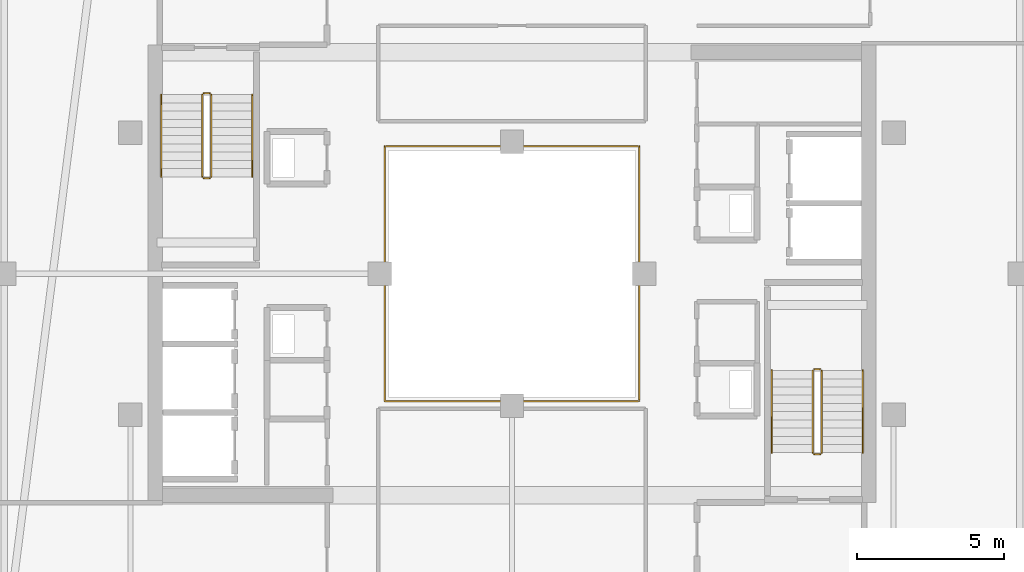
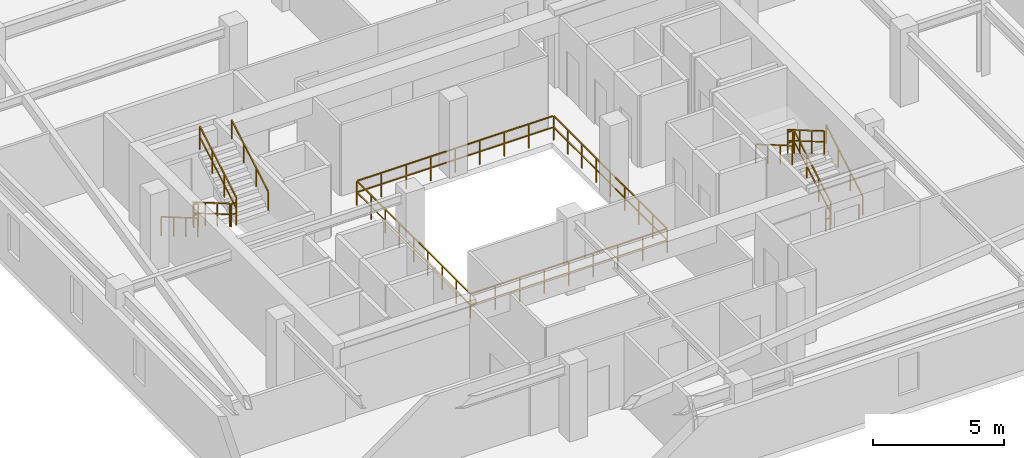
# One storey, part 33 of 34: 13 railings.
"""IFC4 building model written with IfcOpenShell, lengths in metres."""

from ifc_helpers import new_model, si_unit, direction, frame, origin, origin_2d, place, context, subcontext, project, spatial, rectangle, extrude, material, type_object, element, save


model = new_model("IFC4")

# Units and contexts
model_context = context("Model", 3, precision=1e-05, world=origin(), true_north=direction((0.0, 1.0)))
body_context = subcontext(model_context, "Body", "Model", "MODEL_VIEW")
ifc_project = project(units=[si_unit("LENGTHUNIT", "METRE"), si_unit("AREAUNIT", "SQUARE_METRE"), si_unit("VOLUMEUNIT", "CUBIC_METRE"), si_unit("PLANEANGLEUNIT", "RADIAN"), si_unit("MASSUNIT", "GRAM", prefix="KILO")], contexts=[model_context])

# Site, building, storey
site_placement = place(None, origin())
site = spatial("IfcSite", under=ifc_project, at=site_placement, CompositionType="ELEMENT")
building_placement = place(site_placement, origin())
building = spatial("IfcBuilding", under=site, at=building_placement, Name="Thornwick Lancets Civic Towers", CompositionType="ELEMENT")
storey_placement = place(building_placement, frame((0.0, 0.0, 258.300048828125)))
storey = spatial("IfcBuildingStorey", under=building, at=storey_placement, Name="L69", CompositionType="ELEMENT", Elevation=258.300048828125)

# Railings
ifc_material_1 = material(Name="Laminated glass and bronze steel S355", Category="steel")
railing_type_1 = type_object("IfcRailingType", Name="RAIL_ATRIUM_GUARD", PredefinedType="BALUSTRADE", material=ifc_material_1)
railing_1_placement = place(storey_placement, frame((84.159912109375, 22.659912109375, 0.0)))
element("IfcRailing", 1, at=railing_1_placement, inside=storey, type_object=railing_type_1, Name="L69 Tower B Central Atrium Guard Balustrade", PredefinedType="BALUSTRADE", context=body_context, shape_type="SweptSolid", body=[
    extrude(rectangle(XDim=0.048095703125, YDim=0.048095703125, at=origin_2d()), frame((0.0, 0.0, 1.1259765625), z_axis=(1.0, 0.0, 0.0), x_axis=(0.0, 1.0, 0.0)), (0.0, 0.0, 1.0), 8.64892578125),
    extrude(rectangle(XDim=0.0419921875, YDim=0.0419921875, at=origin_2d()), frame((0.03759765625, 0.0, 0.597900390625), z_axis=(1.0, 0.0, 0.0), x_axis=(0.0, 1.0, 0.0)), (0.0, 0.0, 1.0), 1.010009765625),
    extrude(rectangle(XDim=0.0419921875, YDim=0.0419921875, at=origin_2d()), frame((1.12255859375, 0.0, 0.597900390625), z_axis=(1.0, 0.0, 0.0), x_axis=(0.0, 1.0, 0.0)), (0.0, 0.0, 1.0), 1.010009765625),
    extrude(rectangle(XDim=0.0419921875, YDim=0.0419921875, at=origin_2d()), frame((2.20751953125, 0.0, 0.597900390625), z_axis=(1.0, 0.0, 0.0), x_axis=(0.0, 1.0, 0.0)), (0.0, 0.0, 1.0), 1.010009765625),
    extrude(rectangle(XDim=0.0419921875, YDim=0.0419921875, at=origin_2d()), frame((3.29248046875, 0.0, 0.597900390625), z_axis=(1.0, 0.0, 0.0), x_axis=(0.0, 1.0, 0.0)), (0.0, 0.0, 1.0), 1.010009765625),
    extrude(rectangle(XDim=0.0419921875, YDim=0.0419921875, at=origin_2d()), frame((4.377685546875, 0.0, 0.597900390625), z_axis=(1.0, 0.0, 0.0), x_axis=(0.0, 1.0, 0.0)), (0.0, 0.0, 1.0), 1.010009765625),
    extrude(rectangle(XDim=0.0419921875, YDim=0.0419921875, at=origin_2d()), frame((5.462646484375, 0.0, 0.597900390625), z_axis=(1.0, 0.0, 0.0), x_axis=(0.0, 1.0, 0.0)), (0.0, 0.0, 1.0), 1.010009765625),
    extrude(rectangle(XDim=0.0419921875, YDim=0.0419921875, at=origin_2d()), frame((6.547607421875, 0.0, 0.597900390625), z_axis=(1.0, 0.0, 0.0), x_axis=(0.0, 1.0, 0.0)), (0.0, 0.0, 1.0), 1.010009765625),
    extrude(rectangle(XDim=0.0419921875, YDim=0.0419921875, at=origin_2d()), frame((7.632568359375, 0.0, 0.597900390625), z_axis=(1.0, 0.0, 0.0), x_axis=(0.0, 1.0, 0.0)), (0.0, 0.0, 1.0), 1.010009765625),
    extrude(rectangle(XDim=0.048095703125, YDim=0.048095703125, at=origin_2d()), frame((8.68017578125, 0.03125, 1.1259765625), z_axis=(0.0, 1.0, 0.0), x_axis=(-1.0, 0.0, 0.0)), (0.0, 0.0, 1.0), 8.61767578125),
    extrude(rectangle(XDim=0.0419921875, YDim=0.0419921875, at=origin_2d()), frame((8.68017578125, 0.03759765625, 0.597900390625), z_axis=(0.0, 1.0, 0.0), x_axis=(-1.0, 0.0, 0.0)), (0.0, 0.0, 1.0), 1.010009765625),
    extrude(rectangle(XDim=0.0419921875, YDim=0.0419921875, at=origin_2d()), frame((8.68017578125, 1.12255859375, 0.597900390625), z_axis=(0.0, 1.0, 0.0), x_axis=(-1.0, 0.0, 0.0)), (0.0, 0.0, 1.0), 1.010009765625),
    extrude(rectangle(XDim=0.0419921875, YDim=0.0419921875, at=origin_2d()), frame((8.68017578125, 2.20751953125, 0.597900390625), z_axis=(0.0, 1.0, 0.0), x_axis=(-1.0, 0.0, 0.0)), (0.0, 0.0, 1.0), 1.010009765625),
    extrude(rectangle(XDim=0.0419921875, YDim=0.0419921875, at=origin_2d()), frame((8.68017578125, 3.29248046875, 0.597900390625), z_axis=(0.0, 1.0, 0.0), x_axis=(-1.0, 0.0, 0.0)), (0.0, 0.0, 1.0), 1.010009765625),
    extrude(rectangle(XDim=0.0419921875, YDim=0.0419921875, at=origin_2d()), frame((8.68017578125, 4.377685546875, 0.597900390625), z_axis=(0.0, 1.0, 0.0), x_axis=(-1.0, 0.0, 0.0)), (0.0, 0.0, 1.0), 1.010009765625),
    extrude(rectangle(XDim=0.0419921875, YDim=0.0419921875, at=origin_2d()), frame((8.68017578125, 5.462646484375, 0.597900390625), z_axis=(0.0, 1.0, 0.0), x_axis=(-1.0, 0.0, 0.0)), (0.0, 0.0, 1.0), 1.010009765625),
    extrude(rectangle(XDim=0.0419921875, YDim=0.0419921875, at=origin_2d()), frame((8.68017578125, 6.547607421875, 0.597900390625), z_axis=(0.0, 1.0, 0.0), x_axis=(-1.0, 0.0, 0.0)), (0.0, 0.0, 1.0), 1.010009765625),
    extrude(rectangle(XDim=0.0419921875, YDim=0.0419921875, at=origin_2d()), frame((8.68017578125, 7.632568359375, 0.597900390625), z_axis=(0.0, 1.0, 0.0), x_axis=(-1.0, 0.0, 0.0)), (0.0, 0.0, 1.0), 1.010009765625),
    extrude(rectangle(XDim=0.048095703125, YDim=0.048095703125, at=origin_2d()), frame((8.64892578125, 8.68017578125, 1.1259765625), z_axis=(-1.0, 0.0, 0.0), x_axis=(0.0, -1.0, 0.0)), (0.0, 0.0, 1.0), 8.61767578125),
    extrude(rectangle(XDim=0.0419921875, YDim=0.0419921875, at=origin_2d()), frame((8.642578125, 8.68017578125, 0.597900390625), z_axis=(-1.0, 0.0, 0.0), x_axis=(0.0, -1.0, 0.0)), (0.0, 0.0, 1.0), 1.010009765625),
    extrude(rectangle(XDim=0.0419921875, YDim=0.0419921875, at=origin_2d()), frame((7.5576171875, 8.68017578125, 0.597900390625), z_axis=(-1.0, 0.0, 0.0), x_axis=(0.0, -1.0, 0.0)), (0.0, 0.0, 1.0), 1.010009765625),
    extrude(rectangle(XDim=0.0419921875, YDim=0.0419921875, at=origin_2d()), frame((6.47265625, 8.68017578125, 0.597900390625), z_axis=(-1.0, 0.0, 0.0), x_axis=(0.0, -1.0, 0.0)), (0.0, 0.0, 1.0), 1.010009765625),
    extrude(rectangle(XDim=0.0419921875, YDim=0.0419921875, at=origin_2d()), frame((5.3876953125, 8.68017578125, 0.597900390625), z_axis=(-1.0, 0.0, 0.0), x_axis=(0.0, -1.0, 0.0)), (0.0, 0.0, 1.0), 1.010009765625),
    extrude(rectangle(XDim=0.0419921875, YDim=0.0419921875, at=origin_2d()), frame((4.302490234375, 8.68017578125, 0.597900390625), z_axis=(-1.0, 0.0, 0.0), x_axis=(0.0, -1.0, 0.0)), (0.0, 0.0, 1.0), 1.010009765625),
    extrude(rectangle(XDim=0.0419921875, YDim=0.0419921875, at=origin_2d()), frame((3.217529296875, 8.68017578125, 0.597900390625), z_axis=(-1.0, 0.0, 0.0), x_axis=(0.0, -1.0, 0.0)), (0.0, 0.0, 1.0), 1.010009765625),
    extrude(rectangle(XDim=0.0419921875, YDim=0.0419921875, at=origin_2d()), frame((2.132568359375, 8.68017578125, 0.597900390625), z_axis=(-1.0, 0.0, 0.0), x_axis=(0.0, -1.0, 0.0)), (0.0, 0.0, 1.0), 1.010009765625),
    extrude(rectangle(XDim=0.0419921875, YDim=0.0419921875, at=origin_2d()), frame((1.047607421875, 8.68017578125, 0.597900390625), z_axis=(-1.0, 0.0, 0.0), x_axis=(0.0, -1.0, 0.0)), (0.0, 0.0, 1.0), 1.010009765625),
    extrude(rectangle(XDim=0.048095703125, YDim=0.048095703125, at=origin_2d()), frame((0.0, 8.64892578125, 1.1259765625), z_axis=(0.0, -1.0, 0.0), x_axis=(1.0, 0.0, 0.0)), (0.0, 0.0, 1.0), 8.64892578125),
    extrude(rectangle(XDim=0.0419921875, YDim=0.0419921875, at=origin_2d()), frame((0.0, 8.642578125, 0.597900390625), z_axis=(0.0, -1.0, 0.0), x_axis=(1.0, 0.0, 0.0)), (0.0, 0.0, 1.0), 1.010009765625),
    extrude(rectangle(XDim=0.0419921875, YDim=0.0419921875, at=origin_2d()), frame((0.0, 7.5576171875, 0.597900390625), z_axis=(0.0, -1.0, 0.0), x_axis=(1.0, 0.0, 0.0)), (0.0, 0.0, 1.0), 1.010009765625),
    extrude(rectangle(XDim=0.0419921875, YDim=0.0419921875, at=origin_2d()), frame((0.0, 6.47265625, 0.597900390625), z_axis=(0.0, -1.0, 0.0), x_axis=(1.0, 0.0, 0.0)), (0.0, 0.0, 1.0), 1.010009765625),
    extrude(rectangle(XDim=0.0419921875, YDim=0.0419921875, at=origin_2d()), frame((0.0, 5.3876953125, 0.597900390625), z_axis=(0.0, -1.0, 0.0), x_axis=(1.0, 0.0, 0.0)), (0.0, 0.0, 1.0), 1.010009765625),
    extrude(rectangle(XDim=0.0419921875, YDim=0.0419921875, at=origin_2d()), frame((0.0, 4.302490234375, 0.597900390625), z_axis=(0.0, -1.0, 0.0), x_axis=(1.0, 0.0, 0.0)), (0.0, 0.0, 1.0), 1.010009765625),
    extrude(rectangle(XDim=0.0419921875, YDim=0.0419921875, at=origin_2d()), frame((0.0, 3.217529296875, 0.597900390625), z_axis=(0.0, -1.0, 0.0), x_axis=(1.0, 0.0, 0.0)), (0.0, 0.0, 1.0), 1.010009765625),
    extrude(rectangle(XDim=0.0419921875, YDim=0.0419921875, at=origin_2d()), frame((0.0, 2.132568359375, 0.597900390625), z_axis=(0.0, -1.0, 0.0), x_axis=(1.0, 0.0, 0.0)), (0.0, 0.0, 1.0), 1.010009765625),
    extrude(rectangle(XDim=0.0419921875, YDim=0.0419921875, at=origin_2d()), frame((0.0, 1.047607421875, 0.597900390625), z_axis=(0.0, -1.0, 0.0), x_axis=(1.0, 0.0, 0.0)), (0.0, 0.0, 1.0), 1.010009765625),
    extrude(rectangle(XDim=0.0419921875, YDim=0.0419921875, at=origin_2d()), origin(), (0.0, 0.0, 1.0), 1.095703125),
    extrude(rectangle(XDim=0.0419921875, YDim=0.0419921875, at=origin_2d()), frame((1.0849609375, 0.0, 0.0)), (0.0, 0.0, 1.0), 1.095703125),
    extrude(rectangle(XDim=0.0419921875, YDim=0.0419921875, at=origin_2d()), frame((2.169921875, 0.0, 0.0)), (0.0, 0.0, 1.0), 1.095703125),
    extrude(rectangle(XDim=0.0419921875, YDim=0.0419921875, at=origin_2d()), frame((3.255126953125, 0.0, 0.0)), (0.0, 0.0, 1.0), 1.095703125),
    extrude(rectangle(XDim=0.0419921875, YDim=0.0419921875, at=origin_2d()), frame((4.340087890625, 0.0, 0.0)), (0.0, 0.0, 1.0), 1.095703125),
    extrude(rectangle(XDim=0.0419921875, YDim=0.0419921875, at=origin_2d()), frame((5.425048828125, 0.0, 0.0)), (0.0, 0.0, 1.0), 1.095703125),
    extrude(rectangle(XDim=0.0419921875, YDim=0.0419921875, at=origin_2d()), frame((6.51025390625, 0.0, 0.0)), (0.0, 0.0, 1.0), 1.095703125),
    extrude(rectangle(XDim=0.0419921875, YDim=0.0419921875, at=origin_2d()), frame((7.59521484375, 0.0, 0.0)), (0.0, 0.0, 1.0), 1.095703125),
    extrude(rectangle(XDim=0.0419921875, YDim=0.0419921875, at=origin_2d()), frame((8.68017578125, 0.0, 0.0)), (0.0, 0.0, 1.0), 1.095703125),
    extrude(rectangle(XDim=0.0419921875, YDim=0.0419921875, at=origin_2d()), frame((8.68017578125, 1.0849609375, 0.0)), (0.0, 0.0, 1.0), 1.095703125),
    extrude(rectangle(XDim=0.0419921875, YDim=0.0419921875, at=origin_2d()), frame((8.68017578125, 2.169921875, 0.0)), (0.0, 0.0, 1.0), 1.095703125),
    extrude(rectangle(XDim=0.0419921875, YDim=0.0419921875, at=origin_2d()), frame((8.68017578125, 3.255126953125, 0.0)), (0.0, 0.0, 1.0), 1.095703125),
    extrude(rectangle(XDim=0.0419921875, YDim=0.0419921875, at=origin_2d()), frame((8.68017578125, 4.340087890625, 0.0)), (0.0, 0.0, 1.0), 1.095703125),
    extrude(rectangle(XDim=0.0419921875, YDim=0.0419921875, at=origin_2d()), frame((8.68017578125, 5.425048828125, 0.0)), (0.0, 0.0, 1.0), 1.095703125),
    extrude(rectangle(XDim=0.0419921875, YDim=0.0419921875, at=origin_2d()), frame((8.68017578125, 6.51025390625, 0.0)), (0.0, 0.0, 1.0), 1.095703125),
    extrude(rectangle(XDim=0.0419921875, YDim=0.0419921875, at=origin_2d()), frame((8.68017578125, 7.59521484375, 0.0)), (0.0, 0.0, 1.0), 1.095703125),
    extrude(rectangle(XDim=0.0419921875, YDim=0.0419921875, at=origin_2d()), frame((8.68017578125, 8.68017578125, 0.0)), (0.0, 0.0, 1.0), 1.095703125),
    extrude(rectangle(XDim=0.0419921875, YDim=0.0419921875, at=origin_2d()), frame((7.59521484375, 8.68017578125, 0.0)), (0.0, 0.0, 1.0), 1.095703125),
    extrude(rectangle(XDim=0.0419921875, YDim=0.0419921875, at=origin_2d()), frame((6.51025390625, 8.68017578125, 0.0)), (0.0, 0.0, 1.0), 1.095703125),
    extrude(rectangle(XDim=0.0419921875, YDim=0.0419921875, at=origin_2d()), frame((5.425048828125, 8.68017578125, 0.0)), (0.0, 0.0, 1.0), 1.095703125),
    extrude(rectangle(XDim=0.0419921875, YDim=0.0419921875, at=origin_2d()), frame((4.340087890625, 8.68017578125, 0.0)), (0.0, 0.0, 1.0), 1.095703125),
    extrude(rectangle(XDim=0.0419921875, YDim=0.0419921875, at=origin_2d()), frame((3.255126953125, 8.68017578125, 0.0)), (0.0, 0.0, 1.0), 1.095703125),
    extrude(rectangle(XDim=0.0419921875, YDim=0.0419921875, at=origin_2d()), frame((2.169921875, 8.68017578125, 0.0)), (0.0, 0.0, 1.0), 1.095703125),
    extrude(rectangle(XDim=0.0419921875, YDim=0.0419921875, at=origin_2d()), frame((1.0849609375, 8.68017578125, 0.0)), (0.0, 0.0, 1.0), 1.095703125),
    extrude(rectangle(XDim=0.0419921875, YDim=0.0419921875, at=origin_2d()), frame((0.0, 8.68017578125, 0.0)), (0.0, 0.0, 1.0), 1.095703125),
    extrude(rectangle(XDim=0.0419921875, YDim=0.0419921875, at=origin_2d()), frame((0.0, 7.59521484375, 0.0)), (0.0, 0.0, 1.0), 1.095703125),
    extrude(rectangle(XDim=0.0419921875, YDim=0.0419921875, at=origin_2d()), frame((0.0, 6.51025390625, 0.0)), (0.0, 0.0, 1.0), 1.095703125),
    extrude(rectangle(XDim=0.0419921875, YDim=0.0419921875, at=origin_2d()), frame((0.0, 5.425048828125, 0.0)), (0.0, 0.0, 1.0), 1.095703125),
    extrude(rectangle(XDim=0.0419921875, YDim=0.0419921875, at=origin_2d()), frame((0.0, 4.340087890625, 0.0)), (0.0, 0.0, 1.0), 1.095703125),
    extrude(rectangle(XDim=0.0419921875, YDim=0.0419921875, at=origin_2d()), frame((0.0, 3.255126953125, 0.0)), (0.0, 0.0, 1.0), 1.095703125),
    extrude(rectangle(XDim=0.0419921875, YDim=0.0419921875, at=origin_2d()), frame((0.0, 2.169921875, 0.0)), (0.0, 0.0, 1.0), 1.095703125),
    extrude(rectangle(XDim=0.0419921875, YDim=0.0419921875, at=origin_2d()), frame((0.0, 1.0849609375, 0.0)), (0.0, 0.0, 1.0), 1.095703125),
])
ifc_material_2 = material(Name="Brushed stainless steel S355", Category="steel")
railing_type_2 = type_object("IfcRailingType", Name="RAIL_HANDRAIL", PredefinedType="HANDRAIL", material=ifc_material_2)
railing_2_placement = place(storey_placement, frame((100.449951171875, 20.89990234375, 0.16357421875)))
element("IfcRailing", 2, at=railing_2_placement, inside=storey, type_object=railing_type_2, Name="L69 ST-B1 stair handrail 1", PredefinedType="HANDRAIL", context=body_context, shape_type="SweptSolid", body=[
    extrude(rectangle(XDim=0.048095703125, YDim=0.048095703125, at=origin_2d()), frame((0.0, 0.0, 0.8857421875), z_axis=(0.0, 0.863360870873, 0.504586966384), x_axis=(-1.0, 0.0, 0.0)), (0.0, 0.0, 1.0), 3.2431640625),
    extrude(rectangle(XDim=0.0419921875, YDim=0.0419921875, at=origin_2d()), origin(), (0.0, 0.0, 1.0), 0.855712890625),
    extrude(rectangle(XDim=0.0419921875, YDim=0.0419921875, at=origin_2d()), frame((0.0, 0.933349609375, 0.54541015625)), (0.0, 0.0, 1.0), 0.855712890625),
    extrude(rectangle(XDim=0.0419921875, YDim=0.0419921875, at=origin_2d()), frame((0.0, 1.86669921875, 1.091064453125)), (0.0, 0.0, 1.0), 0.855712890625),
    extrude(rectangle(XDim=0.0419921875, YDim=0.0419921875, at=origin_2d()), frame((0.0, 2.800048828125, 1.636474609375)), (0.0, 0.0, 1.0), 0.855712890625),
])
railing_3_placement = place(storey_placement, frame((97.35009765625, 23.699951171875, 1.963623046875)))
element("IfcRailing", 3, at=railing_3_placement, inside=storey, type_object=railing_type_2, Name="L69 ST-B1 stair handrail 2", PredefinedType="HANDRAIL", context=body_context, shape_type="SweptSolid", body=[
    extrude(rectangle(XDim=0.048095703125, YDim=0.048095703125, at=origin_2d()), frame((0.0, 0.0, 0.8857421875), z_axis=(0.0, -0.863393664356, 0.504530851732), x_axis=(1.0, 0.0, 0.0)), (0.0, 0.0, 1.0), 3.2431640625),
    extrude(rectangle(XDim=0.0419921875, YDim=0.0419921875, at=origin_2d()), origin(), (0.0, 0.0, 1.0), 0.855712890625),
    extrude(rectangle(XDim=0.0419921875, YDim=0.0419921875, at=origin_2d()), frame((0.0, -0.933349609375, 0.54541015625)), (0.0, 0.0, 1.0), 0.855712890625),
    extrude(rectangle(XDim=0.0419921875, YDim=0.0419921875, at=origin_2d()), frame((0.0, -1.86669921875, 1.0908203125)), (0.0, 0.0, 1.0), 0.855712890625),
    extrude(rectangle(XDim=0.0419921875, YDim=0.0419921875, at=origin_2d()), frame((0.0, -2.800048828125, 1.63623046875)), (0.0, 0.0, 1.0), 0.855712890625),
])
railing_4_placement = place(storey_placement, frame((76.550048828125, 33.10009765625, 0.16357421875)))
element("IfcRailing", 4, at=railing_4_placement, inside=storey, type_object=railing_type_2, Name="L69 ST-B2 stair handrail 1", PredefinedType="HANDRAIL", context=body_context, shape_type="SweptSolid", body=[
    extrude(rectangle(XDim=0.048095703125, YDim=0.048095703125, at=origin_2d()), frame((0.0, 0.0, 0.8857421875), z_axis=(0.0, -0.863360870873, 0.504586966384), x_axis=(1.0, 0.0, 0.0)), (0.0, 0.0, 1.0), 3.2431640625),
    extrude(rectangle(XDim=0.0419921875, YDim=0.0419921875, at=origin_2d()), origin(), (0.0, 0.0, 1.0), 0.855712890625),
    extrude(rectangle(XDim=0.0419921875, YDim=0.0419921875, at=origin_2d()), frame((0.0, -0.933349609375, 0.54541015625)), (0.0, 0.0, 1.0), 0.855712890625),
    extrude(rectangle(XDim=0.0419921875, YDim=0.0419921875, at=origin_2d()), frame((0.0, -1.86669921875, 1.091064453125)), (0.0, 0.0, 1.0), 0.855712890625),
    extrude(rectangle(XDim=0.0419921875, YDim=0.0419921875, at=origin_2d()), frame((0.0, -2.800048828125, 1.636474609375)), (0.0, 0.0, 1.0), 0.855712890625),
])
railing_5_placement = place(storey_placement, frame((79.64990234375, 30.300048828125, 1.963623046875)))
element("IfcRailing", 5, at=railing_5_placement, inside=storey, type_object=railing_type_2, Name="L69 ST-B2 stair handrail 2", PredefinedType="HANDRAIL", context=body_context, shape_type="SweptSolid", body=[
    extrude(rectangle(XDim=0.048095703125, YDim=0.048095703125, at=origin_2d()), frame((0.0, 0.0, 0.8857421875), z_axis=(0.0, 0.863393664356, 0.504530851732), x_axis=(-1.0, 0.0, 0.0)), (0.0, 0.0, 1.0), 3.2431640625),
    extrude(rectangle(XDim=0.0419921875, YDim=0.0419921875, at=origin_2d()), origin(), (0.0, 0.0, 1.0), 0.855712890625),
    extrude(rectangle(XDim=0.0419921875, YDim=0.0419921875, at=origin_2d()), frame((0.0, 0.933349609375, 0.54541015625)), (0.0, 0.0, 1.0), 0.855712890625),
    extrude(rectangle(XDim=0.0419921875, YDim=0.0419921875, at=origin_2d()), frame((0.0, 1.86669921875, 1.0908203125)), (0.0, 0.0, 1.0), 0.855712890625),
    extrude(rectangle(XDim=0.0419921875, YDim=0.0419921875, at=origin_2d()), frame((0.0, 2.800048828125, 1.63623046875)), (0.0, 0.0, 1.0), 0.855712890625),
])
ifc_material_3 = material(Name="Steel S355JR", Category="steel")
railing_type_3 = type_object("IfcRailingType", Name="RAIL_STAIR_GUARD", PredefinedType="GUARDRAIL", material=ifc_material_3)
railing_6_placement = place(storey_placement, frame((99.050048828125, 20.89990234375, 0.16357421875)))
element("IfcRailing", 6, at=railing_6_placement, inside=storey, type_object=railing_type_3, Name="L69 ST-B1 stair guard 1", PredefinedType="GUARDRAIL", context=body_context, shape_type="SweptSolid", body=[
    extrude(rectangle(XDim=0.048095703125, YDim=0.048095703125, at=origin_2d()), frame((0.0, 0.0, 1.076171875), z_axis=(0.0, 0.863360870873, 0.504586966384), x_axis=(-1.0, 0.0, 0.0)), (0.0, 0.0, 1.0), 3.2431640625),
    extrude(rectangle(XDim=0.0419921875, YDim=0.0419921875, at=origin_2d()), frame((0.0, 0.032470703125, 0.591064453125), z_axis=(0.0, 0.863360870873, 0.504586966384), x_axis=(-1.0, 0.0, 0.0)), (0.0, 0.0, 1.0), 1.006103515625),
    extrude(rectangle(XDim=0.0419921875, YDim=0.0419921875, at=origin_2d()), frame((0.0, 0.9658203125, 1.136474609375), z_axis=(0.0, 0.863360870873, 0.504586966384), x_axis=(-1.0, 0.0, 0.0)), (0.0, 0.0, 1.0), 1.006103515625),
    extrude(rectangle(XDim=0.0419921875, YDim=0.0419921875, at=origin_2d()), frame((0.0, 1.899169921875, 1.681884765625), z_axis=(0.0, 0.863360870873, 0.504586966384), x_axis=(-1.0, 0.0, 0.0)), (0.0, 0.0, 1.0), 1.006103515625),
    extrude(rectangle(XDim=0.0419921875, YDim=0.0419921875, at=origin_2d()), origin(), (0.0, 0.0, 1.0), 1.0458984375),
    extrude(rectangle(XDim=0.0419921875, YDim=0.0419921875, at=origin_2d()), frame((0.0, 0.933349609375, 0.54541015625)), (0.0, 0.0, 1.0), 1.0458984375),
    extrude(rectangle(XDim=0.0419921875, YDim=0.0419921875, at=origin_2d()), frame((0.0, 1.86669921875, 1.091064453125)), (0.0, 0.0, 1.0), 1.0458984375),
    extrude(rectangle(XDim=0.0419921875, YDim=0.0419921875, at=origin_2d()), frame((0.0, 2.800048828125, 1.636474609375)), (0.0, 0.0, 1.0), 1.0458984375),
])
railing_7_placement = place(storey_placement, frame((99.0, 23.75, 1.800048828125)))
element("IfcRailing", 7, at=railing_7_placement, inside=storey, type_object=railing_type_3, Name="L69 ST-B1 stair guard 2", PredefinedType="GUARDRAIL", context=body_context, shape_type="SweptSolid", body=[
    extrude(rectangle(XDim=0.048095703125, YDim=0.048095703125, at=origin_2d()), frame((0.0, 0.0, 1.076171875), z_axis=(-1.0, 0.0, 0.0), x_axis=(0.0, -1.0, 0.0)), (0.0, 0.0, 1.0), 0.199951171875),
    extrude(rectangle(XDim=0.0419921875, YDim=0.0419921875, at=origin_2d()), frame((-0.03759765625, 0.0, 0.572021484375), z_axis=(-1.0, 0.0, 0.0), x_axis=(0.0, -1.0, 0.0)), (0.0, 0.0, 1.0), 0.125),
    extrude(rectangle(XDim=0.0419921875, YDim=0.0419921875, at=origin_2d()), origin(), (0.0, 0.0, 1.0), 1.0458984375),
    extrude(rectangle(XDim=0.0419921875, YDim=0.0419921875, at=origin_2d()), frame((-0.199951171875, 0.0, 0.0)), (0.0, 0.0, 1.0), 1.0458984375),
])
railing_8_placement = place(storey_placement, frame((98.75, 23.699951171875, 1.963623046875)))
element("IfcRailing", 8, at=railing_8_placement, inside=storey, type_object=railing_type_3, Name="L69 ST-B1 stair guard 3", PredefinedType="GUARDRAIL", context=body_context, shape_type="SweptSolid", body=[
    extrude(rectangle(XDim=0.048095703125, YDim=0.048095703125, at=origin_2d()), frame((0.0, 0.0, 1.076171875), z_axis=(0.0, -0.863393664356, 0.504530851732), x_axis=(1.0, 0.0, 0.0)), (0.0, 0.0, 1.0), 3.2431640625),
    extrude(rectangle(XDim=0.0419921875, YDim=0.0419921875, at=origin_2d()), frame((0.0, -0.032470703125, 0.591064453125), z_axis=(0.0, -0.863393664356, 0.504530851732), x_axis=(1.0, 0.0, 0.0)), (0.0, 0.0, 1.0), 1.006103515625),
    extrude(rectangle(XDim=0.0419921875, YDim=0.0419921875, at=origin_2d()), frame((0.0, -0.9658203125, 1.136474609375), z_axis=(0.0, -0.863393664356, 0.504530851732), x_axis=(1.0, 0.0, 0.0)), (0.0, 0.0, 1.0), 1.006103515625),
    extrude(rectangle(XDim=0.0419921875, YDim=0.0419921875, at=origin_2d()), frame((0.0, -1.899169921875, 1.681884765625), z_axis=(0.0, -0.863393664356, 0.504530851732), x_axis=(1.0, 0.0, 0.0)), (0.0, 0.0, 1.0), 1.006103515625),
    extrude(rectangle(XDim=0.0419921875, YDim=0.0419921875, at=origin_2d()), origin(), (0.0, 0.0, 1.0), 1.0458984375),
    extrude(rectangle(XDim=0.0419921875, YDim=0.0419921875, at=origin_2d()), frame((0.0, -0.933349609375, 0.54541015625)), (0.0, 0.0, 1.0), 1.0458984375),
    extrude(rectangle(XDim=0.0419921875, YDim=0.0419921875, at=origin_2d()), frame((0.0, -1.86669921875, 1.0908203125)), (0.0, 0.0, 1.0), 1.0458984375),
    extrude(rectangle(XDim=0.0419921875, YDim=0.0419921875, at=origin_2d()), frame((0.0, -2.800048828125, 1.63623046875)), (0.0, 0.0, 1.0), 1.0458984375),
])
railing_9_placement = place(storey_placement, frame((99.0, 20.85009765625, 0.0)))
element("IfcRailing", 9, at=railing_9_placement, inside=storey, type_object=railing_type_3, Name="L69 ST-B1 stair guard 4", PredefinedType="GUARDRAIL", context=body_context, shape_type="SweptSolid", body=[
    extrude(rectangle(XDim=0.048095703125, YDim=0.048095703125, at=origin_2d()), frame((0.0, 0.0, 1.076171875), z_axis=(-1.0, 0.0, 0.0), x_axis=(0.0, -1.0, 0.0)), (0.0, 0.0, 1.0), 0.199951171875),
    extrude(rectangle(XDim=0.0419921875, YDim=0.0419921875, at=origin_2d()), frame((-0.03759765625, 0.0, 0.572021484375), z_axis=(-1.0, 0.0, 0.0), x_axis=(0.0, -1.0, 0.0)), (0.0, 0.0, 1.0), 0.125),
    extrude(rectangle(XDim=0.0419921875, YDim=0.0419921875, at=origin_2d()), origin(), (0.0, 0.0, 1.0), 1.0458984375),
    extrude(rectangle(XDim=0.0419921875, YDim=0.0419921875, at=origin_2d()), frame((-0.199951171875, 0.0, 0.0)), (0.0, 0.0, 1.0), 1.0458984375),
])
railing_10_placement = place(storey_placement, frame((77.949951171875, 33.10009765625, 0.16357421875)))
element("IfcRailing", 10, at=railing_10_placement, inside=storey, type_object=railing_type_3, Name="L69 ST-B2 stair guard 1", PredefinedType="GUARDRAIL", context=body_context, shape_type="SweptSolid", body=[
    extrude(rectangle(XDim=0.048095703125, YDim=0.048095703125, at=origin_2d()), frame((0.0, 0.0, 1.076171875), z_axis=(0.0, -0.863360870873, 0.504586966384), x_axis=(1.0, 0.0, 0.0)), (0.0, 0.0, 1.0), 3.2431640625),
    extrude(rectangle(XDim=0.0419921875, YDim=0.0419921875, at=origin_2d()), frame((0.0, -0.032470703125, 0.591064453125), z_axis=(0.0, -0.863360870873, 0.504586966384), x_axis=(1.0, 0.0, 0.0)), (0.0, 0.0, 1.0), 1.006103515625),
    extrude(rectangle(XDim=0.0419921875, YDim=0.0419921875, at=origin_2d()), frame((0.0, -0.9658203125, 1.136474609375), z_axis=(0.0, -0.863360870873, 0.504586966384), x_axis=(1.0, 0.0, 0.0)), (0.0, 0.0, 1.0), 1.006103515625),
    extrude(rectangle(XDim=0.0419921875, YDim=0.0419921875, at=origin_2d()), frame((0.0, -1.899169921875, 1.681884765625), z_axis=(0.0, -0.863360870873, 0.504586966384), x_axis=(1.0, 0.0, 0.0)), (0.0, 0.0, 1.0), 1.006103515625),
    extrude(rectangle(XDim=0.0419921875, YDim=0.0419921875, at=origin_2d()), origin(), (0.0, 0.0, 1.0), 1.0458984375),
    extrude(rectangle(XDim=0.0419921875, YDim=0.0419921875, at=origin_2d()), frame((0.0, -0.933349609375, 0.54541015625)), (0.0, 0.0, 1.0), 1.0458984375),
    extrude(rectangle(XDim=0.0419921875, YDim=0.0419921875, at=origin_2d()), frame((0.0, -1.86669921875, 1.091064453125)), (0.0, 0.0, 1.0), 1.0458984375),
    extrude(rectangle(XDim=0.0419921875, YDim=0.0419921875, at=origin_2d()), frame((0.0, -2.800048828125, 1.636474609375)), (0.0, 0.0, 1.0), 1.0458984375),
])
railing_11_placement = place(storey_placement, frame((78.0, 30.25, 1.800048828125)))
element("IfcRailing", 11, at=railing_11_placement, inside=storey, type_object=railing_type_3, Name="L69 ST-B2 stair guard 2", PredefinedType="GUARDRAIL", context=body_context, shape_type="SweptSolid", body=[
    extrude(rectangle(XDim=0.048095703125, YDim=0.048095703125, at=origin_2d()), frame((0.0, 0.0, 1.076171875), z_axis=(1.0, 0.0, 0.0), x_axis=(0.0, 1.0, 0.0)), (0.0, 0.0, 1.0), 0.199951171875),
    extrude(rectangle(XDim=0.0419921875, YDim=0.0419921875, at=origin_2d()), frame((0.03759765625, 0.0, 0.572021484375), z_axis=(1.0, 0.0, 0.0), x_axis=(0.0, 1.0, 0.0)), (0.0, 0.0, 1.0), 0.125),
    extrude(rectangle(XDim=0.0419921875, YDim=0.0419921875, at=origin_2d()), origin(), (0.0, 0.0, 1.0), 1.0458984375),
    extrude(rectangle(XDim=0.0419921875, YDim=0.0419921875, at=origin_2d()), frame((0.199951171875, 0.0, 0.0)), (0.0, 0.0, 1.0), 1.0458984375),
])
railing_12_placement = place(storey_placement, frame((78.25, 30.300048828125, 1.963623046875)))
element("IfcRailing", 12, at=railing_12_placement, inside=storey, type_object=railing_type_3, Name="L69 ST-B2 stair guard 3", PredefinedType="GUARDRAIL", context=body_context, shape_type="SweptSolid", body=[
    extrude(rectangle(XDim=0.048095703125, YDim=0.048095703125, at=origin_2d()), frame((0.0, 0.0, 1.076171875), z_axis=(0.0, 0.863393664356, 0.504530851732), x_axis=(-1.0, 0.0, 0.0)), (0.0, 0.0, 1.0), 3.2431640625),
    extrude(rectangle(XDim=0.0419921875, YDim=0.0419921875, at=origin_2d()), frame((0.0, 0.032470703125, 0.591064453125), z_axis=(0.0, 0.863393664356, 0.504530851732), x_axis=(-1.0, 0.0, 0.0)), (0.0, 0.0, 1.0), 1.006103515625),
    extrude(rectangle(XDim=0.0419921875, YDim=0.0419921875, at=origin_2d()), frame((0.0, 0.9658203125, 1.136474609375), z_axis=(0.0, 0.863393664356, 0.504530851732), x_axis=(-1.0, 0.0, 0.0)), (0.0, 0.0, 1.0), 1.006103515625),
    extrude(rectangle(XDim=0.0419921875, YDim=0.0419921875, at=origin_2d()), frame((0.0, 1.899169921875, 1.681884765625), z_axis=(0.0, 0.863393664356, 0.504530851732), x_axis=(-1.0, 0.0, 0.0)), (0.0, 0.0, 1.0), 1.006103515625),
    extrude(rectangle(XDim=0.0419921875, YDim=0.0419921875, at=origin_2d()), origin(), (0.0, 0.0, 1.0), 1.0458984375),
    extrude(rectangle(XDim=0.0419921875, YDim=0.0419921875, at=origin_2d()), frame((0.0, 0.933349609375, 0.54541015625)), (0.0, 0.0, 1.0), 1.0458984375),
    extrude(rectangle(XDim=0.0419921875, YDim=0.0419921875, at=origin_2d()), frame((0.0, 1.86669921875, 1.0908203125)), (0.0, 0.0, 1.0), 1.0458984375),
    extrude(rectangle(XDim=0.0419921875, YDim=0.0419921875, at=origin_2d()), frame((0.0, 2.800048828125, 1.63623046875)), (0.0, 0.0, 1.0), 1.0458984375),
])
railing_13_placement = place(storey_placement, frame((78.0, 33.14990234375, 0.0)))
element("IfcRailing", 13, at=railing_13_placement, inside=storey, type_object=railing_type_3, Name="L69 ST-B2 stair guard 4", PredefinedType="GUARDRAIL", context=body_context, shape_type="SweptSolid", body=[
    extrude(rectangle(XDim=0.048095703125, YDim=0.048095703125, at=origin_2d()), frame((0.0, 0.0, 1.076171875), z_axis=(1.0, 0.0, 0.0), x_axis=(0.0, 1.0, 0.0)), (0.0, 0.0, 1.0), 0.199951171875),
    extrude(rectangle(XDim=0.0419921875, YDim=0.0419921875, at=origin_2d()), frame((0.03759765625, 0.0, 0.572021484375), z_axis=(1.0, 0.0, 0.0), x_axis=(0.0, 1.0, 0.0)), (0.0, 0.0, 1.0), 0.125),
    extrude(rectangle(XDim=0.0419921875, YDim=0.0419921875, at=origin_2d()), origin(), (0.0, 0.0, 1.0), 1.0458984375),
    extrude(rectangle(XDim=0.0419921875, YDim=0.0419921875, at=origin_2d()), frame((0.199951171875, 0.0, 0.0)), (0.0, 0.0, 1.0), 1.0458984375),
])

save(model, "model.ifc")
